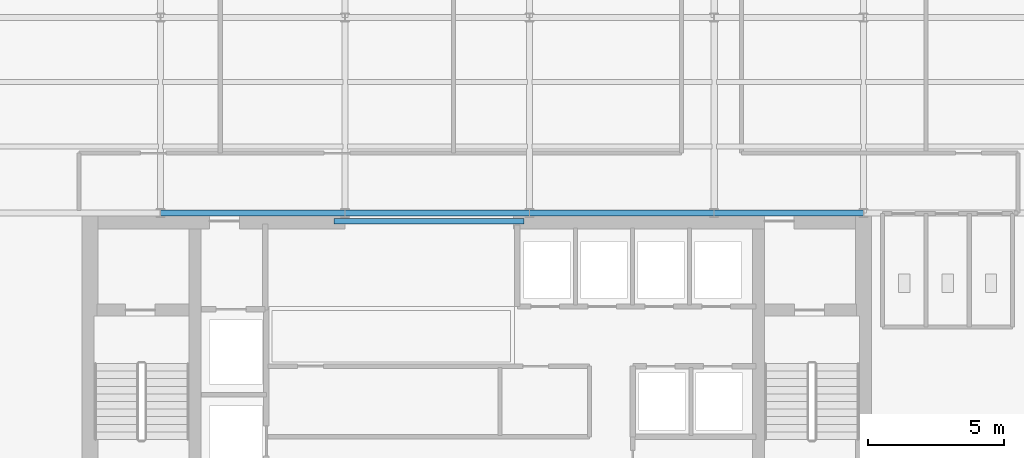
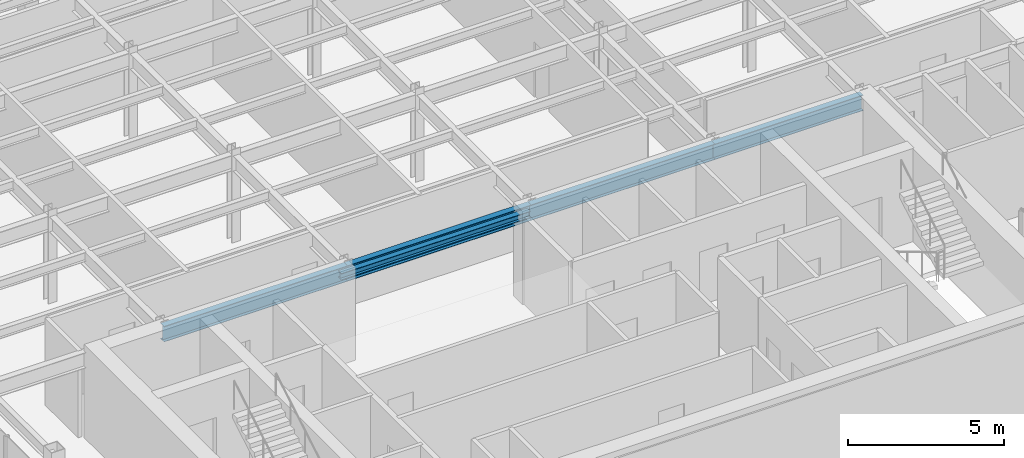
# One storey, part 4 of 22: 5 beams.
"""IFC4 building model written with IfcOpenShell, lengths in metres."""

import ifcopenshell
import ifcopenshell.guid

model = None  # the IFC model being written
_history = None  # IfcOwnerHistory: only IFC2X3 demands one
_inside = {}  # id of a spatial element -> (the spatial element, [elements in it])
_under = {}  # id of a project, library or spatial element -> (it, [spatial elements below it])
_declared = {}  # id of a project -> (the project, [libraries it declares])
_typed = {}  # id of a type object -> (the type object, [elements of that type])
_made_of = {}  # id of a material, layer set ... -> (it, [elements and type objects made of it])


def new_model(schema):
    """Start an empty IFC model of exactly this schema.

    Asked for "IFC4X3", IfcOpenShell would pick the latest addendum, in which some entities
    have other attributes; the version numbers below select the first issue.
    IFC2X3 requires an IfcOwnerHistory on every rooted entity: one is made here for all.
    """
    global model, _history
    if schema == "IFC4X3":
        model = ifcopenshell.file(schema_version=(4, 3, 0, 0))
    else:
        model = ifcopenshell.file(schema=schema)
    _inside.clear()
    _under.clear()
    _declared.clear()
    _typed.clear()
    _made_of.clear()
    _history = None
    if model.schema == "IFC2X3":
        org = make("IfcOrganization", Name="unknown")
        user = make(
            "IfcPersonAndOrganization",
            ThePerson=make("IfcPerson", FamilyName="unknown"),
            TheOrganization=org,
        )
        app = make(
            "IfcApplication",
            ApplicationDeveloper=org,
            Version="unknown",
            ApplicationFullName="unknown",
            ApplicationIdentifier="unknown",
        )
        _history = make(
            "IfcOwnerHistory",
            OwningUser=user,
            OwningApplication=app,
            ChangeAction="ADDED",
            CreationDate=0,
        )
    return model


def make(cls, **values):
    """One entity of the class cls with the attributes given. An attribute that is None is left unset."""
    return model.create_entity(
        cls, **{name: value for name, value in values.items() if value is not None}
    )


def rooted(cls, **values):
    """An entity with a GlobalId (a new one), such as an element, a storey or a relation."""
    return make(cls, GlobalId=ifcopenshell.guid.new(), OwnerHistory=_history, **values)


def si_unit(unit_type, name, prefix=None):
    """IfcSIUnit, for example si_unit("LENGTHUNIT", "METRE", prefix="MILLI")."""
    return make("IfcSIUnit", UnitType=unit_type, Prefix=prefix, Name=name)


def derived_unit(unit_type, elements):
    """IfcDerivedUnit: a product of units, each with its exponent."""
    return make(
        "IfcDerivedUnit",
        Elements=[
            make("IfcDerivedUnitElement", Unit=unit, Exponent=power)
            for unit, power in elements
        ],
        UnitType=unit_type,
    )


def assignment(units):
    """IfcUnitAssignment: the units of a project."""
    return None if units is None else make("IfcUnitAssignment", Units=units)


def point(xyz):
    """IfcCartesianPoint."""
    return None if xyz is None else make("IfcCartesianPoint", Coordinates=xyz)


def direction(xyz):
    """IfcDirection."""
    return None if xyz is None else make("IfcDirection", DirectionRatios=xyz)


def frame(location, z_axis=None, x_axis=None):
    """IfcAxis2Placement3D, a coordinate frame: its origin and axes. An axis left out is left unset."""
    return make(
        "IfcAxis2Placement3D",
        Location=point(location),
        Axis=direction(z_axis),
        RefDirection=direction(x_axis),
    )


def frame_2d(location, x_axis=None):
    """IfcAxis2Placement2D, a coordinate frame in the plane: its origin and x axis."""
    return make(
        "IfcAxis2Placement2D", Location=point(location), RefDirection=direction(x_axis)
    )


def origin():
    """The frame at (0, 0, 0) with its axes left unset."""
    return frame((0.0, 0.0, 0.0))


def origin_2d():
    """The frame at (0, 0) in the plane with its x axis left unset."""
    return frame_2d((0.0, 0.0))


def place(relative_to, where):
    """IfcLocalPlacement: puts the frame where relative to a parent placement (None: the world)."""
    return make(
        "IfcLocalPlacement", PlacementRelTo=relative_to, RelativePlacement=where
    )


def context(
    kind, dimensions, precision=None, world=None, true_north=None, identifier=None
):
    """IfcGeometricRepresentationContext, for example the 3D "Model" context."""
    return make(
        "IfcGeometricRepresentationContext",
        ContextIdentifier=identifier,
        ContextType=kind,
        CoordinateSpaceDimension=dimensions,
        Precision=precision,
        WorldCoordinateSystem=world,
        TrueNorth=true_north,
    )


def subcontext(parent, identifier, kind, view, scale=None):
    """IfcGeometricRepresentationSubContext, for example "Body" below "Model"."""
    return make(
        "IfcGeometricRepresentationSubContext",
        ContextIdentifier=identifier,
        ContextType=kind,
        ParentContext=parent,
        TargetScale=scale,
        TargetView=view,
    )


def project(units=None, contexts=None):
    """IfcProject with its units and contexts."""
    return rooted(
        "IfcProject",
        Name="project",
        RepresentationContexts=contexts,
        UnitsInContext=assignment(units),
    )


def spatial(cls, under=None, at=None, **own):
    """A site, building, storey or space (cls), placed at a placement, below another one or the project."""
    s = rooted(cls, ObjectPlacement=at, **own)
    if under is not None:
        _under.setdefault(under.id(), (under, []))[1].append(s)
    return s


def profile(cls, at=None, kind="AREA", **sizes):
    """A parametric profile (cls). Its sizes go by their IFC names, for example OverallWidth=200.0."""
    return make(cls, ProfileType=kind, Position=at, **sizes)


def i_section(**sizes):
    """IfcIShapeProfileDef."""
    return profile("IfcIShapeProfileDef", **sizes)


def extrude(swept, where, along, depth):
    """IfcExtrudedAreaSolid: the profile swept, set in the frame where, extruded along a direction by depth."""
    return make(
        "IfcExtrudedAreaSolid",
        SweptArea=swept,
        Position=where,
        ExtrudedDirection=direction(along),
        Depth=depth,
    )


def shape(context_of_items, identifier, shape_type, items):
    """IfcShapeRepresentation: the items that make up one representation, for example the "Body"."""
    return make(
        "IfcShapeRepresentation",
        ContextOfItems=context_of_items,
        RepresentationIdentifier=identifier,
        RepresentationType=shape_type,
        Items=items,
    )


def source(mapping_origin, context_of_items, identifier, shape_type, items):
    """IfcRepresentationMap: a shape defined once, which mapped items show again and again."""
    return make(
        "IfcRepresentationMap",
        MappingOrigin=mapping_origin,
        MappedRepresentation=shape(context_of_items, identifier, shape_type, items),
    )


def transform(
    local_origin,
    x_axis=None,
    y_axis=None,
    z_axis=None,
    scale=None,
    scale2=None,
    scale3=None,
    uniform=True,
):
    """IfcCartesianTransformationOperator3D, or its non-uniform kind. x_axis, y_axis, z_axis: its Axis1, 2, 3."""
    if uniform:
        return make(
            "IfcCartesianTransformationOperator3D",
            Axis1=direction(x_axis),
            Axis2=direction(y_axis),
            LocalOrigin=point(local_origin),
            Scale=scale,
            Axis3=direction(z_axis),
        )
    return make(
        "IfcCartesianTransformationOperator3DnonUniform",
        Axis1=direction(x_axis),
        Axis2=direction(y_axis),
        LocalOrigin=point(local_origin),
        Scale=scale,
        Axis3=direction(z_axis),
        Scale2=scale2,
        Scale3=scale3,
    )


def mapped(mapping_source, mapping_target):
    """IfcMappedItem: shows the shape of a source again, moved by a transform."""
    return make(
        "IfcMappedItem", MappingSource=mapping_source, MappingTarget=mapping_target
    )


def material(Name=None, Category=None):
    """IfcMaterial."""
    return make("IfcMaterial", Name=Name, Category=Category)


def material_profile(
    of_material, cross_section, Name=None, Category=None, Priority=None
):
    """IfcMaterialProfile: a cross section and its material."""
    return make(
        "IfcMaterialProfile",
        Name=Name,
        Material=of_material,
        Profile=cross_section,
        Priority=Priority,
        Category=Category,
    )


def profile_set(profiles, Name=None, composite=None):
    """IfcMaterialProfileSet."""
    return make(
        "IfcMaterialProfileSet",
        Name=Name,
        MaterialProfiles=profiles,
        CompositeProfile=composite,
    )


def made_of(thing, what):
    """Note that an element or type object is made of a material, layer set ...; save() writes the relation."""
    if what is not None:
        _made_of.setdefault(what.id(), (what, []))[1].append(thing)
    return thing


def type_object(cls, material=None, **own):
    """A type object (cls), such as IfcWallType, which elements share."""
    return made_of(rooted(cls, **own), material)


def element(
    cls,
    number,
    at=None,
    inside=None,
    cuts=None,
    type_object=None,
    material=None,
    context=None,
    identifier="Body",
    shape_type=None,
    held_by="IfcProductDefinitionShape",
    body=None,
    shapes=None,
    **own,
):
    """One element of the class cls, such as IfcWall. Its Tag is "e" and its number.

    at: its placement. inside: the storey or other place that contains it. cuts: it is an
    opening in that element (IfcRelVoidsElement). A single representation is given by context,
    identifier, shape_type and body (its items); several are given by shapes. held_by: the class
    of the entity that holds the representations. save() writes the other relations.
    """
    e = rooted(cls, Tag="e%d" % number, ObjectPlacement=at, **own)
    if body is not None:
        shapes = [shape(context, identifier, shape_type, body)]
    if shapes is not None:
        e.Representation = make(held_by, Representations=shapes)
    if inside is not None:
        _inside.setdefault(inside.id(), (inside, []))[1].append(e)
    if cuts is not None:
        rooted(
            "IfcRelVoidsElement", RelatingBuildingElement=cuts, RelatedOpeningElement=e
        )
    if type_object is not None:
        _typed.setdefault(type_object.id(), (type_object, []))[1].append(e)
    return made_of(e, material)


def aggregate(whole, parts):
    """IfcRelAggregates: a whole, such as a stair, and the parts it consists of."""
    return rooted("IfcRelAggregates", RelatingObject=whole, RelatedObjects=parts)


def save(model, path):
    """Write the relations noted so far, then the file.

    IfcRelAggregates (storeys below a building ...), IfcRelContainedInSpatialStructure (elements
    in a storey), IfcRelDefinesByType, IfcRelAssociatesMaterial and IfcRelDeclares: one each for
    every whole, place, type object, material and project.
    """
    for whole, parts in _under.values():
        aggregate(whole, parts)
    for where, things in _inside.values():
        rooted(
            "IfcRelContainedInSpatialStructure",
            RelatedElements=things,
            RelatingStructure=where,
        )
    for kind, things in _typed.values():
        rooted("IfcRelDefinesByType", RelatedObjects=things, RelatingType=kind)
    for what, things in _made_of.values():
        rooted("IfcRelAssociatesMaterial", RelatedObjects=things, RelatingMaterial=what)
    for by, libraries in _declared.values():
        rooted("IfcRelDeclares", RelatingContext=by, RelatedDefinitions=libraries)
    model.write(path)


model = new_model("IFC4")

# Units and contexts
model_context = context("Model", 3, precision=1e-05, world=origin(), true_north=direction((0.0, 1.0)))
body_context = subcontext(model_context, "Body", "Model", "MODEL_VIEW")
ifc_project = project(units=[si_unit("LENGTHUNIT", "METRE"), si_unit("AREAUNIT", "SQUARE_METRE"), si_unit("VOLUMEUNIT", "CUBIC_METRE"), si_unit("PLANEANGLEUNIT", "RADIAN"), si_unit("MASSUNIT", "GRAM", prefix="KILO"), derived_unit("THERMALTRANSMITTANCEUNIT", [(si_unit("POWERUNIT", "WATT"), 1), (si_unit("LENGTHUNIT", "METRE"), -2), (si_unit("THERMODYNAMICTEMPERATUREUNIT", "KELVIN"), -1)])], contexts=[model_context])

# Site, building, storey
site_placement = place(None, origin())
site = spatial("IfcSite", under=ifc_project, at=site_placement, CompositionType="ELEMENT")
building_placement = place(site_placement, origin())
building = spatial("IfcBuilding", under=site, at=building_placement, Name="Skarnbrae Concourse Arena and Tower", CompositionType="ELEMENT")
storey_placement = place(building_placement, frame((0.0, 0.0, 225.10009765625)))
storey = spatial("IfcBuildingStorey", under=building, at=storey_placement, Name="L58", CompositionType="ELEMENT", Elevation=225.10009765625)

# Beams
ifc_material = material(Name="Steel CSA G40.21 350W", Category="steel")
ifc_material_profile_1 = material_profile(ifc_material, i_section(OverallWidth=0.202880859375, OverallDepth=0.251953125, WebThickness=0.008056640625, FlangeThickness=0.013427734375, at=origin_2d()), Name="W250X58")
ifc_profile_set_1 = profile_set([ifc_material_profile_1], Name="Steel CSA G40.21 350W")
beam_type_1 = type_object("IfcBeamType", Name="BM-LINTEL-W250X58", PredefinedType="LINTEL", material=ifc_profile_set_1)
shared_shape_1 = source(origin(), body_context, "Body", "SweptSolid", [
    extrude(i_section(OverallWidth=0.202880859375, OverallDepth=0.251953125, WebThickness=0.008056640625, FlangeThickness=0.013427734375, at=origin_2d()), origin(), (0.0, 0.0, 1.0), 7.0),
])
beam_1_placement = place(storey_placement, frame((14.0, 13.699951171875, 3.27392578125), z_axis=(1.0, 0.0, 0.0), x_axis=(0.0, 1.0, 0.0)))
element("IfcBeam", 1, at=beam_1_placement, inside=storey, type_object=beam_type_1, Name="L58 Core portal coupling lintel", PredefinedType="LINTEL", context=body_context, shape_type="MappedRepresentation", body=[
    mapped(shared_shape_1, transform((0.0, 0.0, 0.0))),
])
ifc_material_profile_2 = material_profile(ifc_material, i_section(OverallWidth=0.22802734375, OverallDepth=0.60791015625, WebThickness=0.01123046875, FlangeThickness=0.017333984375, at=origin_2d()), Name="W610X113")
ifc_profile_set_2 = profile_set([ifc_material_profile_2], Name="Steel CSA G40.21 350W")
beam_type_2 = type_object("IfcBeamType", Name="BM-GIRD-W610X113", PredefinedType="BEAM", material=ifc_profile_set_2)
shared_shape_2 = source(origin(), body_context, "Body", "SweptSolid", [
    extrude(i_section(OverallWidth=0.22802734375, OverallDepth=0.60791015625, WebThickness=0.01123046875, FlangeThickness=0.017333984375, at=origin_2d()), origin(), (0.0, 0.0, 1.0), 6.7998046875),
])
beam_2_placement = place(storey_placement, frame((7.60009765625, 14.0, 3.095947265625), z_axis=(1.0, 0.0, 0.0), x_axis=(0.0, 1.0, 0.0)))
element("IfcBeam", 2, at=beam_2_placement, inside=storey, type_object=beam_type_2, Name="L58 Primary E-W girder Y14.0-2", PredefinedType="BEAM", context=body_context, shape_type="MappedRepresentation", body=[
    mapped(shared_shape_2, transform((0.0, 0.0, 0.0))),
])
shared_shape_3 = source(origin(), body_context, "Body", "SweptSolid", [
    extrude(i_section(OverallWidth=0.22802734375, OverallDepth=0.60791015625, WebThickness=0.01123046875, FlangeThickness=0.017333984375, at=origin_2d()), origin(), (0.0, 0.0, 1.0), 6.800048828125),
])
for number, where, z_axis, x_axis, name in (
    (3, (14.39990234375, 14.0, 3.095947265625), (1.0, 0.0, 0.0), (0.0, 1.0, 0.0), "L58 Primary E-W girder Y14.0-3"),
    (4, (21.199951171875, 14.0, 3.095947265625), (1.0, 0.0, 0.0), (0.0, 1.0, 0.0), "L58 Primary E-W girder Y14.0-4"),
):
    element("IfcBeam", number, at=place(storey_placement, frame(where, z_axis=z_axis, x_axis=x_axis)), inside=storey, type_object=beam_type_2, Name=name, PredefinedType="BEAM", context=body_context, shape_type="MappedRepresentation", body=[
        mapped(shared_shape_3, transform((0.0, 0.0, 0.0))),
    ])
shared_shape_4 = source(origin(), body_context, "Body", "SweptSolid", [
    extrude(i_section(OverallWidth=0.22802734375, OverallDepth=0.60791015625, WebThickness=0.01123046875, FlangeThickness=0.017333984375, at=origin_2d()), origin(), (0.0, 0.0, 1.0), 5.5),
])
beam_3_placement = place(storey_placement, frame((28.0, 14.0, 3.095947265625), z_axis=(1.0, 0.0, 0.0), x_axis=(0.0, 1.0, 0.0)))
element("IfcBeam", 5, at=beam_3_placement, inside=storey, type_object=beam_type_2, Name="L58 Primary E-W girder Y14.0-5", PredefinedType="BEAM", context=body_context, shape_type="MappedRepresentation", body=[
    mapped(shared_shape_4, transform((0.0, 0.0, 0.0))),
])

save(model, "model.ifc")
